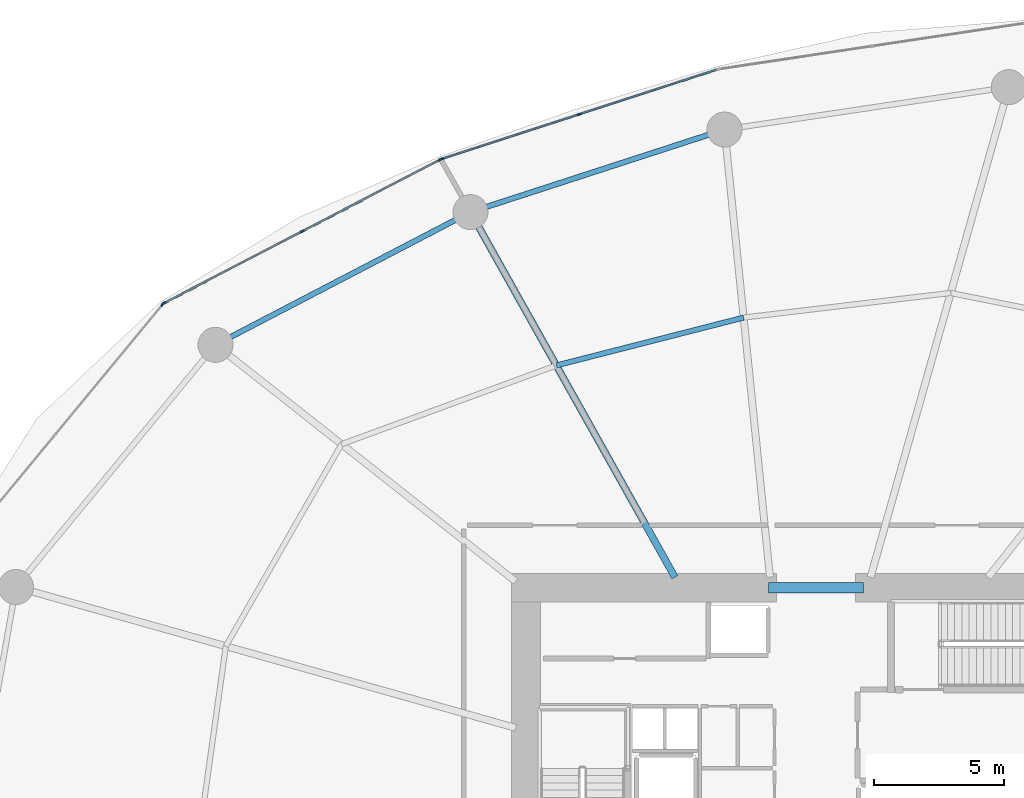
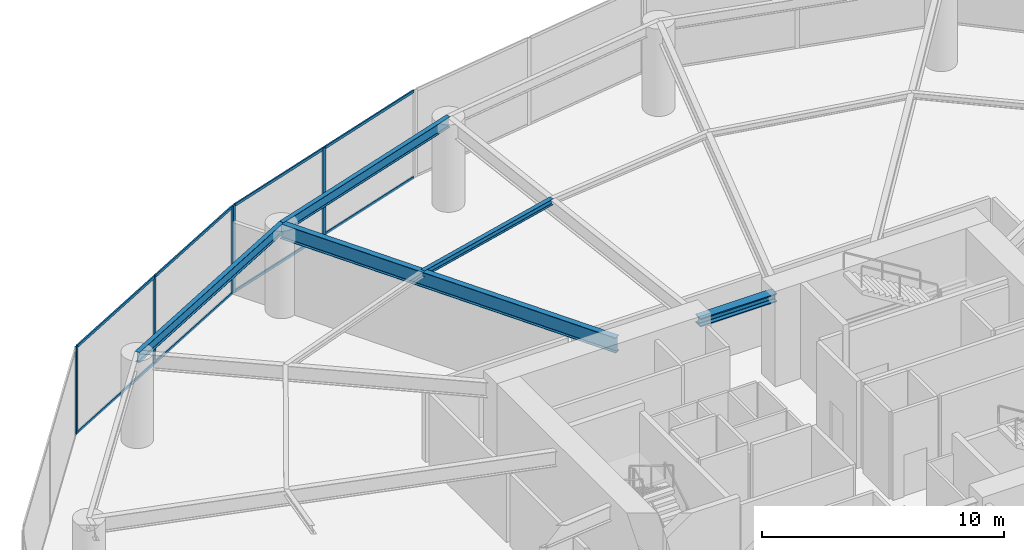
# One storey, part 13 of 22: 14 members, 5 beams, 3 elements without a shape of their own.
"""IFC4 building model written with IfcOpenShell, lengths in metres."""

from ifc_helpers import new_model, si_unit, direction, frame, origin, origin_2d, place, context, subcontext, project, spatial, rectangle, i_section, extrude, material, layer, layer_set, material_profile, profile_set, type_object, element, aggregate, save


model = new_model("IFC4")

# Units and contexts
model_context = context("Model", 3, precision=1e-05, world=origin(), true_north=direction((0.0, 1.0)))
body_context = subcontext(model_context, "Body", "Model", "MODEL_VIEW")
ifc_project = project(units=[si_unit("LENGTHUNIT", "METRE"), si_unit("AREAUNIT", "SQUARE_METRE"), si_unit("VOLUMEUNIT", "CUBIC_METRE"), si_unit("PLANEANGLEUNIT", "RADIAN"), si_unit("MASSUNIT", "GRAM", prefix="KILO")], contexts=[model_context])

# Site, building, storey
site_placement = place(None, origin())
site = spatial("IfcSite", under=ifc_project, at=site_placement, CompositionType="ELEMENT")
building_placement = place(site_placement, origin())
building = spatial("IfcBuilding", under=site, at=building_placement, Name="Kazma Halo Residences", CompositionType="ELEMENT")
storey_placement = place(building_placement, frame((0.0, 0.0, 16.800048828125)))
storey = spatial("IfcBuildingStorey", under=building, at=storey_placement, Name="L03", CompositionType="ELEMENT", Elevation=16.800048828125)

# Beams
ifc_material_1 = material(Name="Steel S355", Category="steel")
ifc_material_profile_1 = material_profile(ifc_material_1, i_section(OverallWidth=0.408935546875, OverallDepth=0.425048828125, WebThickness=0.03271484375, FlangeThickness=0.052490234375, FilletRadius=0.02001953125, at=origin_2d()), Name="W360x421")
ifc_profile_set_1 = profile_set([ifc_material_profile_1], Name="Steel S355")
beam_type_1 = type_object("IfcBeamType", Name="BM-CORE-W360H", PredefinedType="BEAM", material=ifc_profile_set_1)
beam_1_placement = place(storey_placement, frame((46.60009765625, 50.550048828125, 4.1875), z_axis=(1.0, 0.0, 0.0), x_axis=(0.0, 1.0, 0.0)))
element("IfcBeam", 1, at=beam_1_placement, inside=storey, type_object=beam_type_1, Name="L03 core coupling beam N", PredefinedType="BEAM", context=body_context, shape_type="SweptSolid", body=[
    extrude(i_section(OverallWidth=0.408935546875, OverallDepth=0.425048828125, WebThickness=0.03271484375, FlangeThickness=0.052490234375, FilletRadius=0.02001953125, at=origin_2d()), origin(), (0.0, 0.0, 1.0), 3.64990234375),
])
ifc_material_profile_2 = material_profile(ifc_material_1, i_section(OverallWidth=0.26708984375, OverallDepth=0.761962890625, WebThickness=0.014404296875, FlangeThickness=0.021484375, FilletRadius=0.02001953125, at=origin_2d()), Name="W760x173")
ifc_profile_set_2 = profile_set([ifc_material_profile_2], Name="Steel S355")
beam_type_2 = type_object("IfcBeamType", Name="BM-POD-W760", PredefinedType="BEAM", material=ifc_profile_set_2)
beam_2_placement = place(storey_placement, frame((42.98779296875, 50.949951171875, 4.01904296875), z_axis=(-0.488623198121, 0.872494911308, 0.0), x_axis=(-0.872494911308, -0.488623198121, 0.0)))
element("IfcBeam", 2, at=beam_2_placement, inside=storey, type_object=beam_type_2, Name="L03 radial floor beam 05", PredefinedType="BEAM", context=body_context, shape_type="SweptSolid", body=[
    extrude(i_section(OverallWidth=0.26708984375, OverallDepth=0.761962890625, WebThickness=0.014404296875, FlangeThickness=0.021484375, FilletRadius=0.02001953125, at=origin_2d()), origin(), (0.0, 0.0, 1.0), 16.12109375),
])
ifc_material_profile_3 = material_profile(ifc_material_1, i_section(OverallWidth=0.202880859375, OverallDepth=0.302978515625, WebThickness=0.007568359375, FlangeThickness=0.01318359375, FilletRadius=0.013916015625, at=origin_2d()), Name="W310x60")
ifc_profile_set_3 = profile_set([ifc_material_profile_3], Name="Steel S355")
beam_type_3 = type_object("IfcBeamType", Name="BM-SEC-W310A", PredefinedType="JOIST", material=ifc_profile_set_3)
beam_3_placement = place(storey_placement, frame((45.634765625, 60.95263671875, 4.24853515625), z_axis=(-0.968838753185, -0.247692289598, 0.0), x_axis=(0.247692289598, -0.968838753185, 0.0)))
element("IfcBeam", 3, at=beam_3_placement, inside=storey, type_object=beam_type_3, Name="L03 circumferential floor joist 04", PredefinedType="JOIST", context=body_context, shape_type="SweptSolid", body=[
    extrude(i_section(OverallWidth=0.202880859375, OverallDepth=0.302978515625, WebThickness=0.007568359375, FlangeThickness=0.01318359375, FilletRadius=0.013916015625, at=origin_2d()), origin(), (0.0, 0.0, 1.0), 7.44775390625),
])
ifc_material_profile_4 = material_profile(ifc_material_1, i_section(OverallWidth=0.208984375, OverallDepth=0.532958984375, WebThickness=0.01025390625, FlangeThickness=0.015625, FilletRadius=0.01611328125, at=origin_2d()), Name="W530x92")
ifc_profile_set_4 = profile_set([ifc_material_profile_4], Name="Steel S355")
beam_type_4 = type_object("IfcBeamType", Name="BM-SPN-W530", PredefinedType="BEAM", material=ifc_profile_set_4)
beam_4_placement = place(storey_placement, frame((44.8994140625, 68.196044921875, 4.133544921875), z_axis=(-0.951061083857, -0.309002936511, 0.0), x_axis=(0.309002936511, -0.951061083857, 0.0)))
element("IfcBeam", 4, at=beam_4_placement, inside=storey, type_object=beam_type_4, Name="L03 perimeter ring beam 04", PredefinedType="BEAM", context=body_context, shape_type="SweptSolid", body=[
    extrude(i_section(OverallWidth=0.208984375, OverallDepth=0.532958984375, WebThickness=0.01025390625, FlangeThickness=0.015625, FilletRadius=0.01611328125, at=origin_2d()), origin(), (0.0, 0.0, 1.0), 10.29248046875),
])
beam_5_placement = place(storey_placement, frame((35.110595703125, 65.015625, 4.133544921875), z_axis=(-0.886954171981, -0.461857442082, 0.0), x_axis=(0.461857442082, -0.886954171981, 0.0)))
element("IfcBeam", 5, at=beam_5_placement, inside=storey, type_object=beam_type_4, Name="L03 perimeter ring beam 05", PredefinedType="BEAM", context=body_context, shape_type="SweptSolid", body=[
    extrude(i_section(OverallWidth=0.208984375, OverallDepth=0.532958984375, WebThickness=0.01025390625, FlangeThickness=0.015625, FilletRadius=0.01611328125, at=origin_2d()), origin(), (0.0, 0.0, 1.0), 11.071044921875),
])

# Curtain wall, members
ifc_material_2 = material(Name="Aluminium AW-6063 T6 and Triple-Silver Low-E Glass", Category="aluminium")
ifc_layer = layer(ifc_material_2, 0.179931640625)
ifc_layer_set = layer_set([ifc_layer], Name="Aluminium AW-6063 T6 and Triple-Silver Low-E Glass")
curtain_wall_type = type_object("IfcCurtainWallType", Name="CW-SYS-1", PredefinedType="NOTDEFINED", material=ifc_layer_set)
curtain_wall_1_placement = place(storey_placement, origin())
curtain_wall_1 = element("IfcCurtainWall", 6, at=curtain_wall_1_placement, inside=storey, type_object=curtain_wall_type, Name="L03 unitised curtain wall B04", PredefinedType="NOTDEFINED")
ifc_material_3 = material(Name="Aluminium AW-6063 T6", Category="aluminium")
ifc_material_profile_5 = material_profile(ifc_material_3, rectangle(XDim=0.06494140625, YDim=0.179931640625, at=origin_2d()), Name="CWM-65x180")
ifc_profile_set_5 = profile_set([ifc_material_profile_5], Name="Aluminium AW-6063 T6")
member_type_1 = type_object("IfcMemberType", Name="CW-SYS-1-MUL", PredefinedType="MULLION", material=ifc_profile_set_5)
member_1_placement = place(storey_placement, frame((39.298828125, 68.77978515625, 0.0), z_axis=(0.0, 0.0, 1.0), x_axis=(0.309017239211, -0.951056436743, 0.0)))
member_1 = element("IfcMember", 7, at=member_1_placement, type_object=member_type_1, Name="CWS-1 mullion 2", PredefinedType="MULLION", context=body_context, shape_type="SweptSolid", body=[
    extrude(rectangle(XDim=0.06494140625, YDim=0.179931640625, at=origin_2d()), origin(), (0.0, 0.0, 1.0), 4.39990234375),
])
member_2_placement = place(storey_placement, frame((34.0029296875, 67.058837890625, 0.0), z_axis=(0.0, 0.0, 1.0), x_axis=(0.309017239211, -0.951056436743, 0.0)))
member_2 = element("IfcMember", 8, at=member_2_placement, type_object=member_type_1, Name="CWS-1 mullion 3", PredefinedType="MULLION", context=body_context, shape_type="SweptSolid", body=[
    extrude(rectangle(XDim=0.06494140625, YDim=0.179931640625, at=origin_2d()), origin(), (0.0, 0.0, 1.0), 4.39990234375),
])

curtain_wall_2_placement = place(storey_placement, origin())
curtain_wall_2 = element("IfcCurtainWall", 9, at=curtain_wall_2_placement, inside=storey, type_object=curtain_wall_type, Name="L03 unitised curtain wall B05", PredefinedType="NOTDEFINED")
member_3_placement = place(storey_placement, frame((33.943115234375, 67.033935546875, 0.0), z_axis=(0.0, 0.0, 1.0), x_axis=(0.46108680311, -0.887355036047, 0.0)))
member_3 = element("IfcMember", 10, at=member_3_placement, type_object=member_type_1, Name="CWS-1 mullion 1", PredefinedType="MULLION", context=body_context, shape_type="SweptSolid", body=[
    extrude(rectangle(XDim=0.06494140625, YDim=0.179931640625, at=origin_2d()), origin(), (0.0, 0.0, 1.0), 4.39990234375),
])
member_4_placement = place(storey_placement, frame((28.623779296875, 64.27001953125, 0.0), z_axis=(0.0, 0.0, 1.0), x_axis=(0.46108680311, -0.887355036047, 0.0)))
member_4 = element("IfcMember", 11, at=member_4_placement, type_object=member_type_1, Name="CWS-1 mullion 2", PredefinedType="MULLION", context=body_context, shape_type="SweptSolid", body=[
    extrude(rectangle(XDim=0.06494140625, YDim=0.179931640625, at=origin_2d()), origin(), (0.0, 0.0, 1.0), 4.39990234375),
])
member_5_placement = place(storey_placement, frame((23.3046875, 61.506103515625, 0.0), z_axis=(0.0, 0.0, 1.0), x_axis=(0.46108680311, -0.887355036047, 0.0)))
member_5 = element("IfcMember", 12, at=member_5_placement, type_object=member_type_1, Name="CWS-1 mullion 3", PredefinedType="MULLION", context=body_context, shape_type="SweptSolid", body=[
    extrude(rectangle(XDim=0.06494140625, YDim=0.179931640625, at=origin_2d()), origin(), (0.0, 0.0, 1.0), 4.39990234375),
])

# Curtain wall, member
curtain_wall_3_placement = place(storey_placement, origin())
curtain_wall_3 = element("IfcCurtainWall", 13, at=curtain_wall_3_placement, inside=storey, type_object=curtain_wall_type, Name="L03 unitised curtain wall B06", PredefinedType="NOTDEFINED")
member_6_placement = place(storey_placement, frame((23.255126953125, 61.4658203125, 0.0), z_axis=(0.0, 0.0, 1.0), x_axis=(0.771191775002, -0.636602895194, 0.0)))
member_6 = element("IfcMember", 14, at=member_6_placement, type_object=member_type_1, Name="CWS-1 mullion 1", PredefinedType="MULLION", context=body_context, shape_type="SweptSolid", body=[
    extrude(rectangle(XDim=0.06494140625, YDim=0.179931640625, at=origin_2d()), origin(), (0.0, 0.0, 1.0), 4.39990234375),
])
aggregate(curtain_wall_3, [member_6])

# Member
ifc_material_profile_6 = material_profile(ifc_material_3, rectangle(XDim=0.06494140625, YDim=0.135009765625, at=origin_2d()), Name="CWT-65x135")
ifc_profile_set_6 = profile_set([ifc_material_profile_6], Name="Aluminium AW-6063 T6")
member_type_2 = type_object("IfcMemberType", Name="CW-SYS-1-TRN", PredefinedType="USERDEFINED", material=ifc_profile_set_6)
member_7_placement = place(storey_placement, frame((44.563720703125, 70.490478515625, 0.032470703125), z_axis=(-0.951055908328, -0.309018865498, 0.0), x_axis=(0.309018865498, -0.951055908328, 0.0)))
member_7 = element("IfcMember", 15, at=member_7_placement, type_object=member_type_2, Name="CWS-1 transom 1.1", ObjectType="TRANSOM", PredefinedType="USERDEFINED", context=body_context, shape_type="SweptSolid", body=[
    extrude(rectangle(XDim=0.06494140625, YDim=0.135009765625, at=origin_2d()), origin(), (0.0, 0.0, 1.0), 5.50341796875),
])

member_8_placement = place(storey_placement, frame((44.563720703125, 70.490478515625, 4.367431640625), z_axis=(-0.951055908328, -0.309018865498, 0.0), x_axis=(0.309018865498, -0.951055908328, 0.0)))
member_8 = element("IfcMember", 16, at=member_8_placement, type_object=member_type_2, Name="CWS-1 transom 1.2", ObjectType="TRANSOM", PredefinedType="USERDEFINED", context=body_context, shape_type="SweptSolid", body=[
    extrude(rectangle(XDim=0.06494140625, YDim=0.135009765625, at=origin_2d()), origin(), (0.0, 0.0, 1.0), 5.50341796875),
])

member_9_placement = place(storey_placement, frame((39.267822265625, 68.769775390625, 0.032470703125), z_axis=(-0.951055908328, -0.309018865498, 0.0), x_axis=(0.309018865498, -0.951055908328, 0.0)))
member_9 = element("IfcMember", 17, at=member_9_placement, type_object=member_type_2, Name="CWS-1 transom 2.1", ObjectType="TRANSOM", PredefinedType="USERDEFINED", context=body_context, shape_type="SweptSolid", body=[
    extrude(rectangle(XDim=0.06494140625, YDim=0.135009765625, at=origin_2d()), origin(), (0.0, 0.0, 1.0), 5.50341796875),
])

member_10_placement = place(storey_placement, frame((39.267822265625, 68.769775390625, 4.367431640625), z_axis=(-0.951055908328, -0.309018865498, 0.0), x_axis=(0.309018865498, -0.951055908328, 0.0)))
member_10 = element("IfcMember", 18, at=member_10_placement, type_object=member_type_2, Name="CWS-1 transom 2.2", ObjectType="TRANSOM", PredefinedType="USERDEFINED", context=body_context, shape_type="SweptSolid", body=[
    extrude(rectangle(XDim=0.06494140625, YDim=0.135009765625, at=origin_2d()), origin(), (0.0, 0.0, 1.0), 5.50341796875),
])

aggregate(curtain_wall_1, [member_1, member_2, member_7, member_8, member_9, member_10])

member_11_placement = place(storey_placement, frame((33.914306640625, 67.01904296875, 0.032470703125), z_axis=(-0.887352259256, -0.461092146966, 0.0), x_axis=(0.461092146966, -0.887352259256, 0.0)))
member_11 = element("IfcMember", 19, at=member_11_placement, type_object=member_type_2, Name="CWS-1 transom 1.1", ObjectType="TRANSOM", PredefinedType="USERDEFINED", context=body_context, shape_type="SweptSolid", body=[
    extrude(rectangle(XDim=0.06494140625, YDim=0.135009765625, at=origin_2d()), origin(), (0.0, 0.0, 1.0), 5.9296875),
])

member_12_placement = place(storey_placement, frame((33.914306640625, 67.01904296875, 4.367431640625), z_axis=(-0.887352259256, -0.461092146966, 0.0), x_axis=(0.461092146966, -0.887352259256, 0.0)))
member_12 = element("IfcMember", 20, at=member_12_placement, type_object=member_type_2, Name="CWS-1 transom 1.2", ObjectType="TRANSOM", PredefinedType="USERDEFINED", context=body_context, shape_type="SweptSolid", body=[
    extrude(rectangle(XDim=0.06494140625, YDim=0.135009765625, at=origin_2d()), origin(), (0.0, 0.0, 1.0), 5.9296875),
])

member_13_placement = place(storey_placement, frame((28.594970703125, 64.2548828125, 0.032470703125), z_axis=(-0.887360351848, -0.461076572781, 0.0), x_axis=(0.461076572781, -0.887360351848, 0.0)))
member_13 = element("IfcMember", 21, at=member_13_placement, type_object=member_type_2, Name="CWS-1 transom 2.1", ObjectType="TRANSOM", PredefinedType="USERDEFINED", context=body_context, shape_type="SweptSolid", body=[
    extrude(rectangle(XDim=0.06494140625, YDim=0.135009765625, at=origin_2d()), origin(), (0.0, 0.0, 1.0), 5.929443359375),
])

member_14_placement = place(storey_placement, frame((28.594970703125, 64.2548828125, 4.367431640625), z_axis=(-0.887360351848, -0.461076572781, 0.0), x_axis=(0.461076572781, -0.887360351848, 0.0)))
member_14 = element("IfcMember", 22, at=member_14_placement, type_object=member_type_2, Name="CWS-1 transom 2.2", ObjectType="TRANSOM", PredefinedType="USERDEFINED", context=body_context, shape_type="SweptSolid", body=[
    extrude(rectangle(XDim=0.06494140625, YDim=0.135009765625, at=origin_2d()), origin(), (0.0, 0.0, 1.0), 5.929443359375),
])

aggregate(curtain_wall_2, [member_3, member_4, member_5, member_11, member_12, member_13, member_14])

save(model, "model.ifc")
